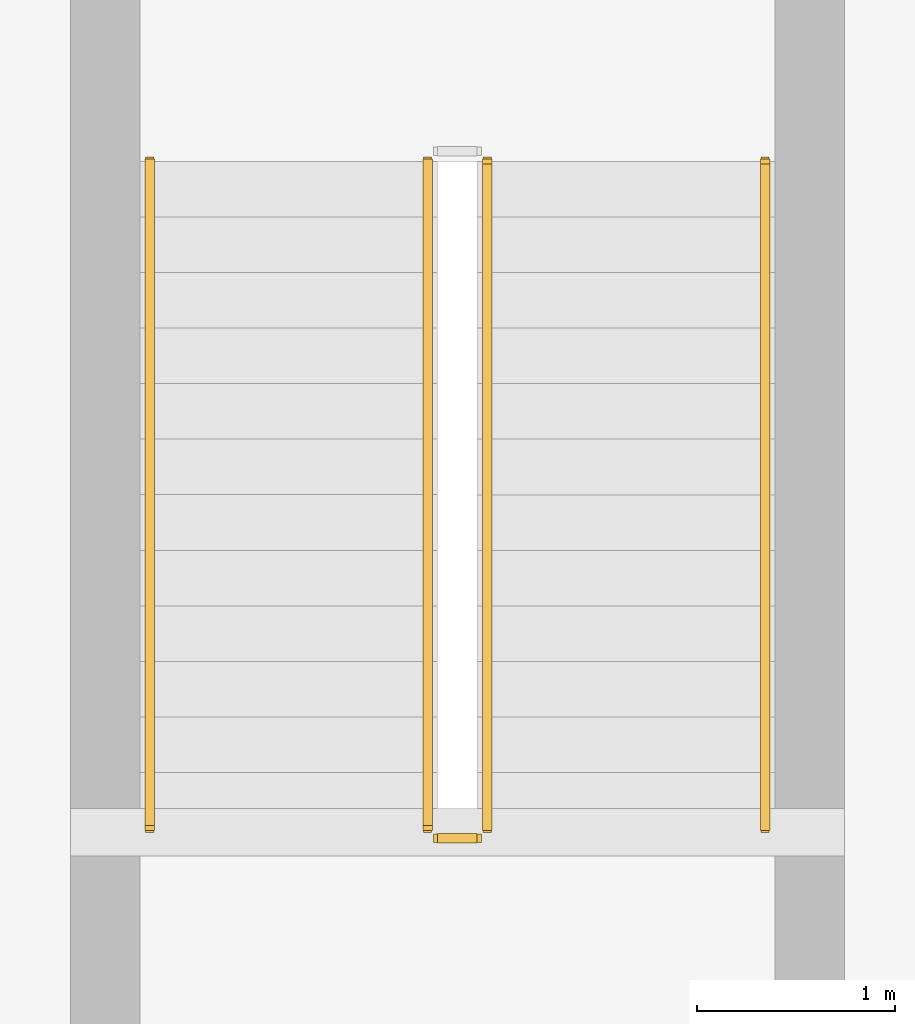
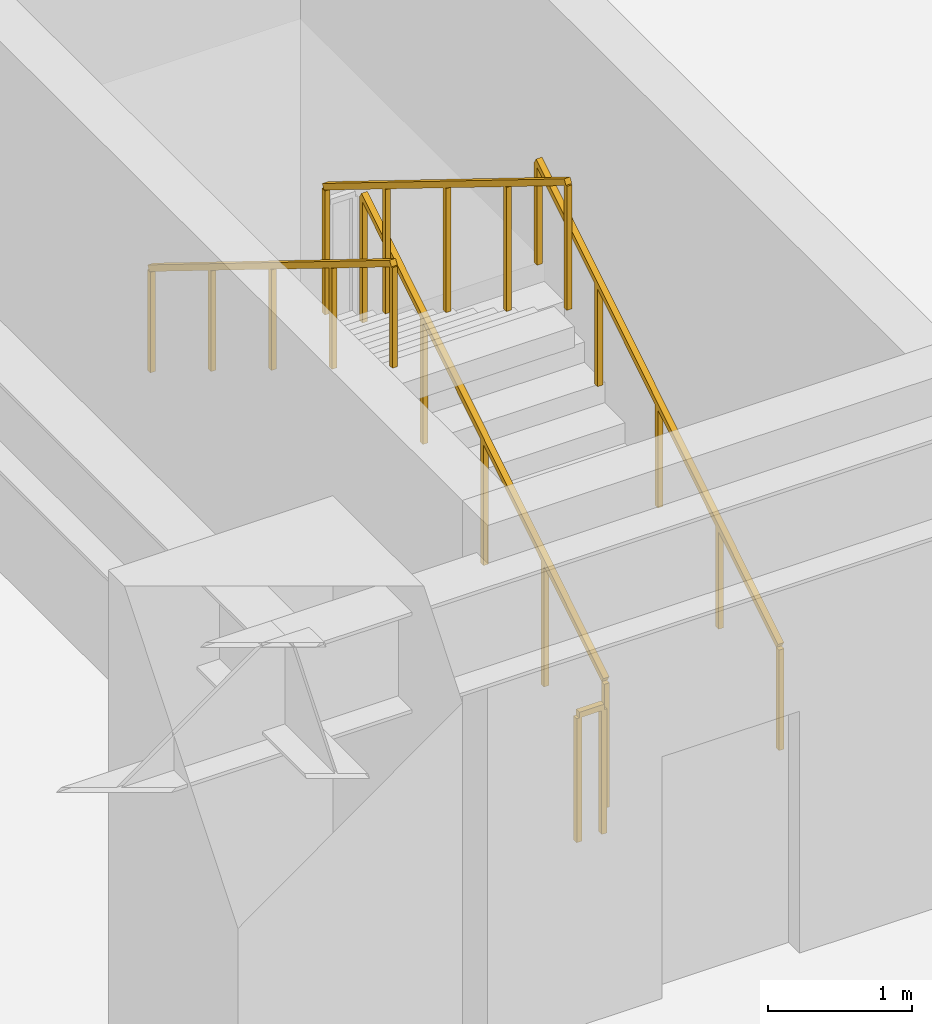
# One storey, part 18 of 20: 5 railings.
"""IFC4 building model written with IfcOpenShell, lengths in metres."""

from ifc_helpers import new_model, si_unit, direction, frame, origin, origin_2d, place, context, subcontext, project, spatial, rectangle, extrude, material, type_object, element, save


model = new_model("IFC4")

# Units and contexts
model_context = context("Model", 3, precision=1e-05, world=origin(), true_north=direction((0.0, 1.0)))
body_context = subcontext(model_context, "Body", "Model", "MODEL_VIEW")
ifc_project = project(units=[si_unit("LENGTHUNIT", "METRE"), si_unit("AREAUNIT", "SQUARE_METRE"), si_unit("VOLUMEUNIT", "CUBIC_METRE"), si_unit("PLANEANGLEUNIT", "RADIAN"), si_unit("MASSUNIT", "GRAM", prefix="KILO")], contexts=[model_context])

# Site, building, storey
site_placement = place(None, origin())
site = spatial("IfcSite", under=ifc_project, at=site_placement, CompositionType="ELEMENT")
building_placement = place(site_placement, origin())
building = spatial("IfcBuilding", under=site, at=building_placement, Name="Kiyonajd Concourse Tower", CompositionType="ELEMENT")
storey_placement = place(building_placement, frame((0.0, 0.0, -4.5)))
storey = spatial("IfcBuildingStorey", under=building, at=storey_placement, Name="B1", CompositionType="ELEMENT", Elevation=-4.5)

# Railings
ifc_material_1 = material(Name="Steel ASTM A500 Grade C", Category="steel")
railing_type_1 = type_object("IfcRailingType", Name="RL-GRD-STR", PredefinedType="GUARDRAIL", material=ifc_material_1)
railing_1_placement = place(storey_placement, frame((84.949951171875, 29.64990234375, 0.173095703125)))
element("IfcRailing", 1, at=railing_1_placement, inside=storey, type_object=railing_type_1, Name="B1 ST5 stair guard 1", PredefinedType="GUARDRAIL", context=body_context, shape_type="SweptSolid", body=[
    extrude(rectangle(XDim=0.048095703125, YDim=0.048095703125, at=origin_2d()), frame((0.0, 0.0, 1.076171875), z_axis=(0.0, 0.850623216509, 0.525775754039), x_axis=(-1.0, 0.0, 0.0)), (0.0, 0.0, 1.0), 3.9501953125),
    extrude(rectangle(XDim=0.0419921875, YDim=0.0419921875, at=origin_2d()), origin(), (0.0, 0.0, 1.0), 1.052001953125),
    extrude(rectangle(XDim=0.0419921875, YDim=0.0419921875, at=origin_2d()), frame((0.0, 0.840087890625, 0.519287109375)), (0.0, 0.0, 1.0), 1.052001953125),
    extrude(rectangle(XDim=0.0419921875, YDim=0.0419921875, at=origin_2d()), frame((0.0, 1.68017578125, 1.03857421875)), (0.0, 0.0, 1.0), 1.052001953125),
    extrude(rectangle(XDim=0.0419921875, YDim=0.0419921875, at=origin_2d()), frame((0.0, 2.52001953125, 1.5576171875)), (0.0, 0.0, 1.0), 1.052001953125),
    extrude(rectangle(XDim=0.0419921875, YDim=0.0419921875, at=origin_2d()), frame((0.0, 3.360107421875, 2.076904296875)), (0.0, 0.0, 1.0), 1.052001953125),
])
railing_2_placement = place(storey_placement, frame((84.64990234375, 33.010009765625, 2.423095703125)))
element("IfcRailing", 2, at=railing_2_placement, inside=storey, type_object=railing_type_1, Name="B1 ST5 stair guard 3", PredefinedType="GUARDRAIL", context=body_context, shape_type="SweptSolid", body=[
    extrude(rectangle(XDim=0.048095703125, YDim=0.048095703125, at=origin_2d()), frame((0.0, 0.0, 1.076171875), z_axis=(0.0, -0.850623216509, 0.525775754039), x_axis=(1.0, 0.0, 0.0)), (0.0, 0.0, 1.0), 3.9501953125),
    extrude(rectangle(XDim=0.0419921875, YDim=0.0419921875, at=origin_2d()), origin(), (0.0, 0.0, 1.0), 1.052001953125),
    extrude(rectangle(XDim=0.0419921875, YDim=0.0419921875, at=origin_2d()), frame((0.0, -0.840087890625, 0.519287109375)), (0.0, 0.0, 1.0), 1.052001953125),
    extrude(rectangle(XDim=0.0419921875, YDim=0.0419921875, at=origin_2d()), frame((0.0, -1.68017578125, 1.03857421875)), (0.0, 0.0, 1.0), 1.052001953125),
    extrude(rectangle(XDim=0.0419921875, YDim=0.0419921875, at=origin_2d()), frame((0.0, -2.52001953125, 1.5576171875)), (0.0, 0.0, 1.0), 1.052001953125),
    extrude(rectangle(XDim=0.0419921875, YDim=0.0419921875, at=origin_2d()), frame((0.0, -3.360107421875, 2.076904296875)), (0.0, 0.0, 1.0), 1.052001953125),
])
railing_3_placement = place(storey_placement, frame((84.89990234375, 29.60009765625, 0.0)))
element("IfcRailing", 3, at=railing_3_placement, inside=storey, type_object=railing_type_1, Name="B1 ST5 stair guard 4", PredefinedType="GUARDRAIL", context=body_context, shape_type="SweptSolid", body=[
    extrude(rectangle(XDim=0.048095703125, YDim=0.048095703125, at=origin_2d()), frame((0.0, 0.0, 1.076171875), z_axis=(-1.0, 0.0, 0.0), x_axis=(0.0, -1.0, 0.0)), (0.0, 0.0, 1.0), 0.199951171875),
    extrude(rectangle(XDim=0.0419921875, YDim=0.0419921875, at=origin_2d()), origin(), (0.0, 0.0, 1.0), 1.052001953125),
    extrude(rectangle(XDim=0.0419921875, YDim=0.0419921875, at=origin_2d()), frame((-0.199951171875, 0.0, 0.0)), (0.0, 0.0, 1.0), 1.052001953125),
])
ifc_material_2 = material(Name="Brushed Stainless Steel Cab Assembly", Category="steel")
railing_type_2 = type_object("IfcRailingType", Name="RL-HND-900", PredefinedType="HANDRAIL", material=ifc_material_2)
railing_4_placement = place(storey_placement, frame((86.35009765625, 29.64990234375, 0.173095703125)))
element("IfcRailing", 4, at=railing_4_placement, inside=storey, type_object=railing_type_2, Name="B1 ST5 stair handrail 1", PredefinedType="HANDRAIL", context=body_context, shape_type="SweptSolid", body=[
    extrude(rectangle(XDim=0.048095703125, YDim=0.048095703125, at=origin_2d()), frame((0.0, 0.0, 0.8759765625), z_axis=(0.0, 0.850623216509, 0.525775754039), x_axis=(-1.0, 0.0, 0.0)), (0.0, 0.0, 1.0), 3.9501953125),
    extrude(rectangle(XDim=0.0419921875, YDim=0.0419921875, at=origin_2d()), origin(), (0.0, 0.0, 1.0), 0.851806640625),
    extrude(rectangle(XDim=0.0419921875, YDim=0.0419921875, at=origin_2d()), frame((0.0, 0.840087890625, 0.519287109375)), (0.0, 0.0, 1.0), 0.851806640625),
    extrude(rectangle(XDim=0.0419921875, YDim=0.0419921875, at=origin_2d()), frame((0.0, 1.68017578125, 1.03857421875)), (0.0, 0.0, 1.0), 0.851806640625),
    extrude(rectangle(XDim=0.0419921875, YDim=0.0419921875, at=origin_2d()), frame((0.0, 2.52001953125, 1.5576171875)), (0.0, 0.0, 1.0), 0.851806640625),
    extrude(rectangle(XDim=0.0419921875, YDim=0.0419921875, at=origin_2d()), frame((0.0, 3.360107421875, 2.076904296875)), (0.0, 0.0, 1.0), 0.851806640625),
])
railing_5_placement = place(storey_placement, frame((83.25, 33.010009765625, 2.423095703125)))
element("IfcRailing", 5, at=railing_5_placement, inside=storey, type_object=railing_type_2, Name="B1 ST5 stair handrail 2", PredefinedType="HANDRAIL", context=body_context, shape_type="SweptSolid", body=[
    extrude(rectangle(XDim=0.048095703125, YDim=0.048095703125, at=origin_2d()), frame((0.0, 0.0, 0.8759765625), z_axis=(0.0, -0.850623216509, 0.525775754039), x_axis=(1.0, 0.0, 0.0)), (0.0, 0.0, 1.0), 3.9501953125),
    extrude(rectangle(XDim=0.0419921875, YDim=0.0419921875, at=origin_2d()), origin(), (0.0, 0.0, 1.0), 0.851806640625),
    extrude(rectangle(XDim=0.0419921875, YDim=0.0419921875, at=origin_2d()), frame((0.0, -0.840087890625, 0.519287109375)), (0.0, 0.0, 1.0), 0.851806640625),
    extrude(rectangle(XDim=0.0419921875, YDim=0.0419921875, at=origin_2d()), frame((0.0, -1.68017578125, 1.03857421875)), (0.0, 0.0, 1.0), 0.851806640625),
    extrude(rectangle(XDim=0.0419921875, YDim=0.0419921875, at=origin_2d()), frame((0.0, -2.52001953125, 1.5576171875)), (0.0, 0.0, 1.0), 0.851806640625),
    extrude(rectangle(XDim=0.0419921875, YDim=0.0419921875, at=origin_2d()), frame((0.0, -3.360107421875, 2.076904296875)), (0.0, 0.0, 1.0), 0.851806640625),
])

save(model, "model.ifc")
